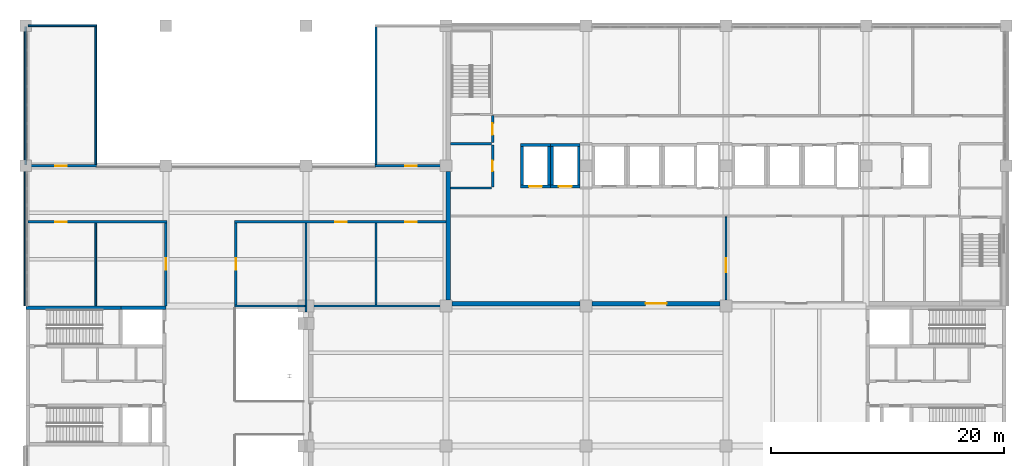
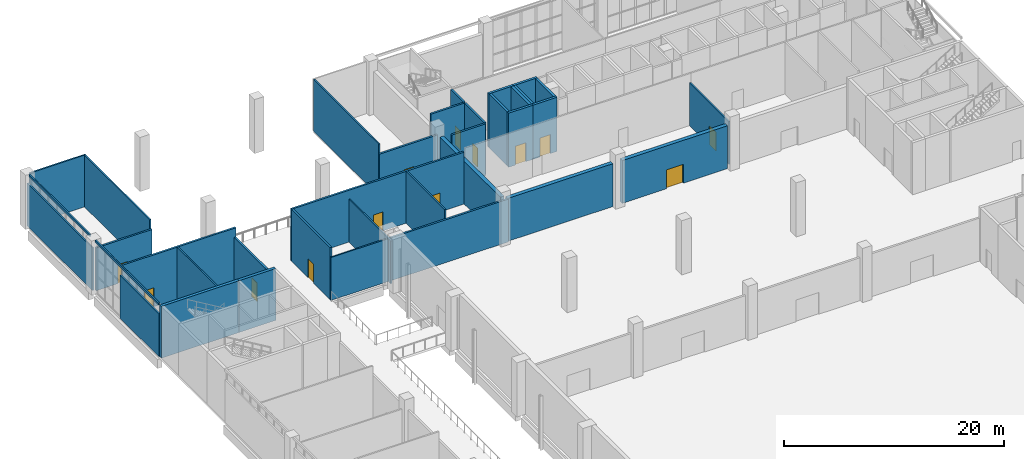
# One storey, part 64 of 72: 36 walls, 13 doors, 13 openings.
"""IFC4 building model written with IfcOpenShell, lengths in metres."""

from ifc_helpers import new_model, si_unit, direction, frame, frame_2d, origin, place, context, subcontext, project, spatial, rectangle, extrude, material, layer, layer_set, type_object, element, fill, save


model = new_model("IFC4")

# Units and contexts
model_context = context("Model", 3, precision=1e-05, world=origin(), true_north=direction((0.0, 1.0)))
body_context = subcontext(model_context, "Body", "Model", "MODEL_VIEW")
ifc_project = project(units=[si_unit("LENGTHUNIT", "METRE"), si_unit("AREAUNIT", "SQUARE_METRE"), si_unit("VOLUMEUNIT", "CUBIC_METRE"), si_unit("PLANEANGLEUNIT", "RADIAN"), si_unit("MASSUNIT", "GRAM", prefix="KILO")], contexts=[model_context])

# Site, building, storey
site_placement = place(None, origin())
site = spatial("IfcSite", under=ifc_project, at=site_placement, CompositionType="ELEMENT")
building_placement = place(site_placement, origin())
building = spatial("IfcBuilding", under=site, at=building_placement, Name="Lilac Gate Convention Centre", CompositionType="ELEMENT")
storey_placement = place(building_placement, frame((0.0, 0.0, 6.0)))
storey = spatial("IfcBuildingStorey", under=building, at=storey_placement, Name="L01", CompositionType="ELEMENT", Elevation=6.0)

# Wall, opening, door
ifc_material_1 = material(Name="Concrete C60", Category="concrete")
ifc_layer_1 = layer(ifc_material_1, 0.25)
ifc_layer_set_1 = layer_set([ifc_layer_1], Name="Concrete C60")
wall_type_1 = type_object("IfcWallType", Name="Core wall 250 C60", PredefinedType="SHEAR", material=ifc_layer_set_1)
wall_1_placement = place(storey_placement, frame((48.39990234375, 232.22509765625, 0.0), z_axis=(0.0, 0.0, 1.0), x_axis=(1.0, 0.0, 0.0)))
wall_1 = element("IfcWall", 1, at=wall_1_placement, inside=storey, type_object=wall_type_1, Name="CRW3 core wall TC L01 25", PredefinedType="SHEAR", context=body_context, shape_type="SweptSolid", body=[
    extrude(rectangle(XDim=2.550048828125, YDim=0.25, at=frame_2d((1.27490234375, 0.0))), origin(), (0.0, 0.0, 1.0), 6.0),
])
opening_1_placement = place(wall_1_placement, frame((0.72509765625, 0.0, 0.0)))
opening_1 = element("IfcOpeningElement", 2, at=opening_1_placement, cuts=wall_1, Name="Opening T01-026", PredefinedType="OPENING", context=body_context, shape_type="SweptSolid", body=[
    extrude(rectangle(XDim=1.10009765625, YDim=2.10009765625, at=frame_2d((0.550048828125, 1.050048828125))), frame((0.0, 0.135009765625, 0.0), z_axis=(0.0, -1.0, 0.0), x_axis=(1.0, 0.0, 0.0)), (0.0, 0.0, 1.0), 0.27001953125),
])
ifc_material_2 = material(Name="Stainless steel 304", Category="steel")
door_type_1 = type_object("IfcDoorType", Name="Lift landing door 1100", OperationType="SLIDING_TO_LEFT", PredefinedType="DOOR", material=ifc_material_2)
door_1_placement = place(opening_1_placement, origin())
door_1 = element("IfcDoor", 3, at=door_1_placement, inside=storey, type_object=door_type_1, Name="Lift landing door TS1 L01", OperationType="SLIDING_TO_LEFT", OverallHeight=2.10009765625, OverallWidth=1.10009765625, PredefinedType="DOOR", context=body_context, shape_type="SweptSolid", body=[
    extrude(rectangle(XDim=1.10009765625, YDim=2.10009765625, at=frame_2d((0.550048828125, 1.050048828125))), frame((0.0, 0.02490234375, 0.0), z_axis=(0.0, -1.0, 0.0), x_axis=(1.0, 0.0, 0.0)), (0.0, 0.0, 1.0), 0.050048828125),
])
fill(opening_1, door_1)

# Walls
wall_2_placement = place(storey_placement, frame((48.39990234375, 235.77490234375, 0.0), z_axis=(0.0, 0.0, 1.0), x_axis=(1.0, 0.0, 0.0)))
element("IfcWall", 4, at=wall_2_placement, inside=storey, type_object=wall_type_1, Name="CRW3 core wall TC L01 26", PredefinedType="SHEAR", context=body_context, shape_type="SweptSolid", body=[
    extrude(rectangle(XDim=2.550048828125, YDim=0.25, at=frame_2d((1.27490234375, 0.0))), origin(), (0.0, 0.0, 1.0), 6.0),
])
for number, where, z_axis, x_axis, name in (
    (5, (48.52490234375, 232.35009765625, 0.0), (0.0, 0.0, 1.0), (0.0, 1.0, 0.0), "CRW3 core wall TC L01 27"),
    (6, (50.824951171875, 232.35009765625, 0.0), (0.0, 0.0, 1.0), (0.0, 1.0, 0.0), "CRW3 core wall TC L01 28"),
):
    element("IfcWall", number, at=place(storey_placement, frame(where, z_axis=z_axis, x_axis=x_axis)), inside=storey, type_object=wall_type_1, Name=name, PredefinedType="SHEAR", context=body_context, shape_type="SweptSolid", body=[
        extrude(rectangle(XDim=3.2998046875, YDim=0.25, at=frame_2d((1.64990234375, 0.0))), origin(), (0.0, 0.0, 1.0), 6.0),
    ])

# Wall, opening, door
wall_3_placement = place(storey_placement, frame((50.949951171875, 232.22509765625, 0.0), z_axis=(0.0, 0.0, 1.0), x_axis=(1.0, 0.0, 0.0)))
wall_3 = element("IfcWall", 7, at=wall_3_placement, inside=storey, type_object=wall_type_1, Name="CRW3 core wall TC L01 29", PredefinedType="SHEAR", context=body_context, shape_type="SweptSolid", body=[
    extrude(rectangle(XDim=2.550048828125, YDim=0.25, at=frame_2d((1.27490234375, 0.0))), origin(), (0.0, 0.0, 1.0), 6.0),
])
opening_2_placement = place(wall_3_placement, frame((0.72509765625, 0.0, 0.0)))
opening_2 = element("IfcOpeningElement", 8, at=opening_2_placement, cuts=wall_3, Name="Opening T01-027", PredefinedType="OPENING", context=body_context, shape_type="SweptSolid", body=[
    extrude(rectangle(XDim=1.10009765625, YDim=2.10009765625, at=frame_2d((0.550048828125, 1.050048828125))), frame((0.0, 0.135009765625, 0.0), z_axis=(0.0, -1.0, 0.0), x_axis=(1.0, 0.0, 0.0)), (0.0, 0.0, 1.0), 0.27001953125),
])
door_2_placement = place(opening_2_placement, origin())
door_2 = element("IfcDoor", 9, at=door_2_placement, inside=storey, type_object=door_type_1, Name="Lift landing door TS2 L01", OperationType="SLIDING_TO_LEFT", OverallHeight=2.10009765625, OverallWidth=1.10009765625, PredefinedType="DOOR", context=body_context, shape_type="SweptSolid", body=[
    extrude(rectangle(XDim=1.10009765625, YDim=2.10009765625, at=frame_2d((0.550048828125, 1.050048828125))), frame((0.0, 0.02490234375, 0.0), z_axis=(0.0, -1.0, 0.0), x_axis=(1.0, 0.0, 0.0)), (0.0, 0.0, 1.0), 0.050048828125),
])
fill(opening_2, door_2)

# Walls
wall_4_placement = place(storey_placement, frame((50.949951171875, 235.77490234375, 0.0), z_axis=(0.0, 0.0, 1.0), x_axis=(1.0, 0.0, 0.0)))
element("IfcWall", 10, at=wall_4_placement, inside=storey, type_object=wall_type_1, Name="CRW3 core wall TC L01 30", PredefinedType="SHEAR", context=body_context, shape_type="SweptSolid", body=[
    extrude(rectangle(XDim=2.550048828125, YDim=0.25, at=frame_2d((1.27490234375, 0.0))), origin(), (0.0, 0.0, 1.0), 6.0),
])
for number, where, z_axis, x_axis, name in (
    (11, (51.074951171875, 232.35009765625, 0.0), (0.0, 0.0, 1.0), (0.0, 1.0, 0.0), "CRW3 core wall TC L01 31"),
    (12, (53.375, 232.35009765625, 0.0), (0.0, 0.0, 1.0), (0.0, 1.0, 0.0), "CRW3 core wall TC L01 32"),
):
    element("IfcWall", number, at=place(storey_placement, frame(where, z_axis=z_axis, x_axis=x_axis)), inside=storey, type_object=wall_type_1, Name=name, PredefinedType="SHEAR", context=body_context, shape_type="SweptSolid", body=[
        extrude(rectangle(XDim=3.2998046875, YDim=0.25, at=frame_2d((1.64990234375, 0.0))), origin(), (0.0, 0.0, 1.0), 6.0),
    ])

# Wall, opening, door
ifc_material_3 = material(Name="Gypsum board on steel stud", Category="steel")
ifc_layer_2 = layer(ifc_material_3, 0.14990234375)
ifc_layer_set_2 = layer_set([ifc_layer_2], Name="Gypsum board on steel stud")
wall_type_2 = type_object("IfcWallType", Name="Corridor wall 150", PredefinedType="PARTITIONING", material=ifc_layer_set_2)
wall_5_placement = place(storey_placement, frame((66.0, 229.625, 0.0), z_axis=(0.0, 0.0, 1.0), x_axis=(0.0, -1.0, 0.0)))
wall_5 = element("IfcWall", 13, at=wall_5_placement, inside=storey, type_object=wall_type_2, Name="Corridor wall 150 part SKT", PredefinedType="PARTITIONING", context=body_context, shape_type="SweptSolid", body=[
    extrude(rectangle(XDim=7.125, YDim=0.14990234375, at=frame_2d((3.5625, 0.0))), origin(), (0.0, 0.0, 1.0), 4.75),
])
opening_3_placement = place(wall_5_placement, frame((3.52490234375, 0.0, 0.0)))
opening_3 = element("IfcOpeningElement", 14, at=opening_3_placement, cuts=wall_5, Name="Opening T01-011", PredefinedType="OPENING", context=body_context, shape_type="SweptSolid", body=[
    extrude(rectangle(XDim=1.199951171875, YDim=2.10009765625, at=frame_2d((0.60009765625, 1.050048828125))), frame((0.0, 0.0849609375, 0.0), z_axis=(0.0, -1.0, 0.0), x_axis=(1.0, 0.0, 0.0)), (0.0, 0.0, 1.0), 0.169921875),
])
ifc_material_4 = material(Name="Steel Q235B", Category="steel")
door_type_2 = type_object("IfcDoorType", Name="Kitchen door 1200", OperationType="SINGLE_SWING_LEFT", PredefinedType="DOOR", material=ifc_material_4)
door_3_placement = place(opening_3_placement, origin())
door_3 = element("IfcDoor", 15, at=door_3_placement, inside=storey, type_object=door_type_2, Name="Kitchen pass door", OperationType="SINGLE_SWING_RIGHT", OverallHeight=2.10009765625, OverallWidth=1.199951171875, PredefinedType="DOOR", context=body_context, shape_type="SweptSolid", body=[
    extrude(rectangle(XDim=1.199951171875, YDim=2.10009765625, at=frame_2d((0.60009765625, 1.050048828125))), frame((0.0, 0.02490234375, 0.0), z_axis=(0.0, -1.0, 0.0), x_axis=(1.0, 0.0, 0.0)), (0.0, 0.0, 1.0), 0.050048828125),
])
fill(opening_3, door_3)

# Wall
ifc_material_5 = material(Name="Concrete C30", Category="concrete")
ifc_layer_3 = layer(ifc_material_5, 0.39990234375)
ifc_layer_set_3 = layer_set([ifc_layer_3], Name="Concrete C30")
wall_type_3 = type_object("IfcWallType", Name="Hall fire wall 400", PredefinedType="SOLIDWALL", material=ifc_layer_set_3)
wall_6_placement = place(storey_placement, frame((42.5, 222.199951171875, 0.0), z_axis=(0.0, 0.0, 1.0), x_axis=(1.0, 0.0, 0.0)))
element("IfcWall", 16, at=wall_6_placement, inside=storey, type_object=wall_type_3, Name="Compartment wall S L01 1", PredefinedType="SOLIDWALL", context=body_context, shape_type="SweptSolid", body=[
    extrude(rectangle(XDim=11.0, YDim=0.39990234375, at=frame_2d((5.5, 0.0))), origin(), (0.0, 0.0, 1.0), 4.75),
])

# Wall, opening, door
wall_7_placement = place(storey_placement, frame((54.5, 222.199951171875, 0.0), z_axis=(0.0, 0.0, 1.0), x_axis=(1.0, 0.0, 0.0)))
wall_7 = element("IfcWall", 17, at=wall_7_placement, inside=storey, type_object=wall_type_3, Name="Compartment wall S L01 2", PredefinedType="SOLIDWALL", context=body_context, shape_type="SweptSolid", body=[
    extrude(rectangle(XDim=11.0, YDim=0.39990234375, at=frame_2d((5.5, 0.0))), origin(), (0.0, 0.0, 1.0), 4.75),
])
opening_4_placement = place(wall_7_placement, frame((4.60009765625, 0.0, 0.0)))
opening_4 = element("IfcOpeningElement", 18, at=opening_4_placement, cuts=wall_7, Name="Opening L01-118", PredefinedType="OPENING", context=body_context, shape_type="SweptSolid", body=[
    extrude(rectangle(XDim=1.800048828125, YDim=2.10009765625, at=frame_2d((0.89990234375, 1.050048828125))), frame((0.0, 0.2099609375, 0.0), z_axis=(0.0, -1.0, 0.0), x_axis=(1.0, 0.0, 0.0)), (0.0, 0.0, 1.0), 0.419921875),
])
door_type_3 = type_object("IfcDoorType", Name="Door 1800 x 2100 double leaf FD90", OperationType="DOUBLE_DOOR_SINGLE_SWING", PredefinedType="DOOR", material=ifc_material_4)
door_4_placement = place(opening_4_placement, frame((1.800048828125, 0.0, 0.0), z_axis=(0.0, 0.0, 1.0), x_axis=(-1.0, 0.0, 0.0)))
door_4 = element("IfcDoor", 19, at=door_4_placement, inside=storey, type_object=door_type_3, Name="Fire door to hotel L01-118", OperationType="DOUBLE_DOOR_SINGLE_SWING", OverallHeight=2.10009765625, OverallWidth=1.800048828125, PredefinedType="DOOR", context=body_context, shape_type="SweptSolid", body=[
    extrude(rectangle(XDim=1.800048828125, YDim=2.10009765625, at=frame_2d((0.89990234375, 1.050048828125))), frame((0.0, 0.02490234375, 0.0), z_axis=(0.0, -1.0, 0.0), x_axis=(1.0, 0.0, 0.0)), (0.0, 0.0, 1.0), 0.050048828125),
])
fill(opening_4, door_4)

# Wall
wall_8_placement = place(storey_placement, frame((42.199951171875, 233.5, 0.0), z_axis=(0.0, 0.0, 1.0), x_axis=(0.0, -1.0, 0.0)))
element("IfcWall", 20, at=wall_8_placement, inside=storey, type_object=wall_type_3, Name="Compartment wall W L01 2", PredefinedType="SOLIDWALL", context=body_context, shape_type="SweptSolid", body=[
    extrude(rectangle(XDim=11.0, YDim=0.39990234375, at=frame_2d((5.5, 0.0))), origin(), (0.0, 0.0, 1.0), 4.75),
])

# Wall, opening, door
ifc_layer_4 = layer(ifc_material_3, 0.199951171875)
ifc_layer_set_4 = layer_set([ifc_layer_4], Name="Gypsum board on steel stud")
wall_type_4 = type_object("IfcWallType", Name="Lobby wall 200", PredefinedType="PARTITIONING", material=ifc_layer_set_4)
wall_9_placement = place(storey_placement, frame((46.0, 236.0, 0.0), z_axis=(0.0, 0.0, 1.0), x_axis=(0.0, 1.0, 0.0)))
wall_9 = element("IfcWall", 21, at=wall_9_placement, inside=storey, type_object=wall_type_4, Name="Lobby wall 200 STL-NW-E", PredefinedType="PARTITIONING", context=body_context, shape_type="SweptSolid", body=[
    extrude(rectangle(XDim=2.300048828125, YDim=0.199951171875, at=frame_2d((1.14990234375, 0.0))), origin(), (0.0, 0.0, 1.0), 5.75),
])
opening_5_placement = place(wall_9_placement, frame((0.64990234375, 0.0, 0.0)))
opening_5 = element("IfcOpeningElement", 22, at=opening_5_placement, cuts=wall_9, Name="Opening T01-006", PredefinedType="OPENING", context=body_context, shape_type="SweptSolid", body=[
    extrude(rectangle(XDim=1.0, YDim=2.10009765625, at=frame_2d((0.5, 1.050048828125))), frame((0.0, 0.10986328125, 0.0), z_axis=(0.0, -1.0, 0.0), x_axis=(1.0, 0.0, 0.0)), (0.0, 0.0, 1.0), 0.219970703125),
])
door_type_4 = type_object("IfcDoorType", Name="Lobby door 1000", OperationType="SINGLE_SWING_LEFT", PredefinedType="DOOR", material=ifc_material_4)
door_5_placement = place(opening_5_placement, origin())
door_5 = element("IfcDoor", 23, at=door_5_placement, inside=storey, type_object=door_type_4, Name="Stair lobby door NW", OperationType="SINGLE_SWING_LEFT", OverallHeight=2.10009765625, OverallWidth=1.0, PredefinedType="DOOR", context=body_context, shape_type="SweptSolid", body=[
    extrude(rectangle(XDim=1.0, YDim=2.10009765625, at=frame_2d((0.5, 1.050048828125))), frame((0.0, 0.02490234375, 0.0), z_axis=(0.0, -1.0, 0.0), x_axis=(1.0, 0.0, 0.0)), (0.0, 0.0, 1.0), 0.050048828125),
])
fill(opening_5, door_5)

# Walls
ifc_material_6 = material(Name="Fire-rated gypsum board on steel stud", Category="steel")
ifc_layer_5 = layer(ifc_material_6, 0.14990234375)
ifc_layer_set_5 = layer_set([ifc_layer_5], Name="Fire-rated gypsum board on steel stud")
wall_type_5 = type_object("IfcWallType", Name="Partition 150 fire-rated gypsum board EI 60", PredefinedType="PARTITIONING", material=ifc_layer_set_5)
wall_10_placement = place(storey_placement, frame((23.89990234375, 222.0, 0.0), z_axis=(0.0, 0.0, 1.0), x_axis=(1.0, 0.0, 0.0)))
element("IfcWall", 24, at=wall_10_placement, inside=storey, type_object=wall_type_5, Name="Partition 150 fire-rated gypsum board EI 60", PredefinedType="PARTITIONING", context=body_context, shape_type="SweptSolid", body=[
    extrude(rectangle(XDim=6.025146484375, YDim=0.14990234375, at=frame_2d((3.0126953125, 0.0))), origin(), (0.0, 0.0, 1.0), 4.75),
])
wall_11_placement = place(storey_placement, frame((6.199951171875, 246.0, 0.0), z_axis=(0.0, 0.0, 1.0), x_axis=(1.0, 0.0, 0.0)))
element("IfcWall", 25, at=wall_11_placement, inside=storey, type_object=wall_type_5, Name="Partition 150 fire-rated gypsum board EI 60", PredefinedType="PARTITIONING", context=body_context, shape_type="SweptSolid", body=[
    extrude(rectangle(XDim=5.875, YDim=0.14990234375, at=frame_2d((2.9375, 0.0))), origin(), (0.0, 0.0, 1.0), 5.75),
])
wall_12_placement = place(storey_placement, frame((6.0, 222.0, 0.0), z_axis=(0.0, 0.0, 1.0), x_axis=(0.0, 1.0, 0.0)))
element("IfcWall", 26, at=wall_12_placement, inside=storey, type_object=wall_type_5, Name="Partition 150 fire-rated gypsum board EI 60", PredefinedType="PARTITIONING", context=body_context, shape_type="SweptSolid", body=[
    extrude(rectangle(XDim=7.10009765625, YDim=0.14990234375, at=frame_2d((3.550048828125, 0.0))), origin(), (0.0, 0.0, 1.0), 4.75),
])
wall_13_placement = place(storey_placement, frame((6.0, 234.10009765625, 0.0), z_axis=(0.0, 0.0, 1.0), x_axis=(0.0, 1.0, 0.0)))
element("IfcWall", 27, at=wall_13_placement, inside=storey, type_object=wall_type_5, Name="Partition 150 fire-rated gypsum board EI 60", PredefinedType="PARTITIONING", context=body_context, shape_type="SweptSolid", body=[
    extrude(rectangle(XDim=11.824951171875, YDim=0.14990234375, at=frame_2d((5.91259765625, 0.0))), origin(), (0.0, 0.0, 1.0), 4.75),
])
wall_14_placement = place(storey_placement, frame((12.0, 222.0, 0.0), z_axis=(0.0, 0.0, 1.0), x_axis=(0.0, 1.0, 0.0)))
element("IfcWall", 28, at=wall_14_placement, inside=storey, type_object=wall_type_5, Name="Partition 150 fire-rated gypsum board EI 60", PredefinedType="PARTITIONING", context=body_context, shape_type="SweptSolid", body=[
    extrude(rectangle(XDim=7.10009765625, YDim=0.14990234375, at=frame_2d((3.550048828125, 0.0))), origin(), (0.0, 0.0, 1.0), 5.75),
])
wall_15_placement = place(storey_placement, frame((12.0, 234.10009765625, 0.0), z_axis=(0.0, 0.0, 1.0), x_axis=(0.0, 1.0, 0.0)))
element("IfcWall", 29, at=wall_15_placement, inside=storey, type_object=wall_type_5, Name="Partition 150 fire-rated gypsum board EI 60", PredefinedType="PARTITIONING", context=body_context, shape_type="SweptSolid", body=[
    extrude(rectangle(XDim=11.824951171875, YDim=0.14990234375, at=frame_2d((5.91259765625, 0.0))), origin(), (0.0, 0.0, 1.0), 5.75),
])
wall_16_placement = place(storey_placement, frame((30.0, 221.5, 0.0), z_axis=(0.0, 0.0, 1.0), x_axis=(0.0, 1.0, 0.0)))
element("IfcWall", 30, at=wall_16_placement, inside=storey, type_object=wall_type_5, Name="Partition 150 fire-rated gypsum board EI 60", PredefinedType="PARTITIONING", context=body_context, shape_type="SweptSolid", body=[
    extrude(rectangle(XDim=7.60009765625, YDim=0.14990234375, at=frame_2d((3.800048828125, 0.0))), origin(), (0.0, 0.0, 1.0), 4.75),
])
wall_17_placement = place(storey_placement, frame((36.0, 222.10009765625, 0.0), z_axis=(0.0, 0.0, 1.0), x_axis=(0.0, 1.0, 0.0)))
element("IfcWall", 31, at=wall_17_placement, inside=storey, type_object=wall_type_5, Name="Partition 150 fire-rated gypsum board EI 60", PredefinedType="PARTITIONING", context=body_context, shape_type="SweptSolid", body=[
    extrude(rectangle(XDim=7.0, YDim=0.14990234375, at=frame_2d((3.5, 0.0))), origin(), (0.0, 0.0, 1.0), 5.75),
])
wall_18_placement = place(storey_placement, frame((36.0, 234.10009765625, 0.0), z_axis=(0.0, 0.0, 1.0), x_axis=(0.0, 1.0, 0.0)))
element("IfcWall", 32, at=wall_18_placement, inside=storey, type_object=wall_type_5, Name="Partition 150 fire-rated gypsum board EI 60", PredefinedType="PARTITIONING", context=body_context, shape_type="SweptSolid", body=[
    extrude(rectangle(XDim=11.824951171875, YDim=0.14990234375, at=frame_2d((5.91259765625, 0.0))), origin(), (0.0, 0.0, 1.0), 5.75),
])
ifc_material_7 = material(Name="Clay brick masonry", Category="masonry")
ifc_layer_6 = layer(ifc_material_7, 0.199951171875)
ifc_layer_set_6 = layer_set([ifc_layer_6], Name="Clay brick masonry")
wall_type_6 = type_object("IfcWallType", Name="Partition 200 brick EI 60", PredefinedType="PARTITIONING", material=ifc_layer_set_6)
wall_19_placement = place(storey_placement, frame((30.074951171875, 222.0, 0.0), z_axis=(0.0, 0.0, 1.0), x_axis=(1.0, 0.0, 0.0)))
element("IfcWall", 33, at=wall_19_placement, inside=storey, type_object=wall_type_6, Name="Partition 200 brick EI 60", PredefinedType="PARTITIONING", context=body_context, shape_type="SweptSolid", body=[
    extrude(rectangle(XDim=12.425048828125, YDim=0.199951171875, at=frame_2d((6.21240234375, 0.0))), origin(), (0.0, 0.0, 1.0), 4.75),
])

# Wall, opening, door
wall_20_placement = place(storey_placement, frame((6.199951171875, 229.199951171875, 0.0), z_axis=(0.0, 0.0, 1.0), x_axis=(1.0, 0.0, 0.0)))
wall_20 = element("IfcWall", 34, at=wall_20_placement, inside=storey, type_object=wall_type_6, Name="Partition 200 brick EI 60", PredefinedType="PARTITIONING", context=body_context, shape_type="SweptSolid", body=[
    extrude(rectangle(XDim=11.900146484375, YDim=0.199951171875, at=frame_2d((5.9501953125, 0.0))), origin(), (0.0, 0.0, 1.0), 5.75),
])
opening_6_placement = place(wall_20_placement, frame((2.300048828125, 0.0, 0.0)))
opening_6 = element("IfcOpeningElement", 35, at=opening_6_placement, cuts=wall_20, Name="Opening L01-122", PredefinedType="OPENING", context=body_context, shape_type="SweptSolid", body=[
    extrude(rectangle(XDim=1.0, YDim=2.10009765625, at=frame_2d((0.5, 1.050048828125))), frame((0.0, 0.10986328125, 0.0), z_axis=(0.0, -1.0, 0.0), x_axis=(1.0, 0.0, 0.0)), (0.0, 0.0, 1.0), 0.219970703125),
])
ifc_material_8 = material(Name="Timber fire door leaf", Category="wood")
door_type_5 = type_object("IfcDoorType", Name="Door 1000 x 2100 single leaf FD30", OperationType="SINGLE_SWING_LEFT", PredefinedType="DOOR", material=ifc_material_8)
door_6_placement = place(opening_6_placement, frame((1.0, 0.0, 0.0), z_axis=(0.0, 0.0, 1.0), x_axis=(-1.0, 0.0, 0.0)))
door_6 = element("IfcDoor", 36, at=door_6_placement, inside=storey, type_object=door_type_5, Name="Office door L01-122", OperationType="SINGLE_SWING_LEFT", OverallHeight=2.10009765625, OverallWidth=1.0, PredefinedType="DOOR", context=body_context, shape_type="SweptSolid", body=[
    extrude(rectangle(XDim=1.0, YDim=2.10009765625, at=frame_2d((0.5, 1.050048828125))), frame((0.0, 0.02490234375, 0.0), z_axis=(0.0, -1.0, 0.0), x_axis=(1.0, 0.0, 0.0)), (0.0, 0.0, 1.0), 0.050048828125),
])
fill(opening_6, door_6)

# Wall, openings, doors
wall_21_placement = place(storey_placement, frame((23.89990234375, 229.199951171875, 0.0), z_axis=(0.0, 0.0, 1.0), x_axis=(1.0, 0.0, 0.0)))
wall_21 = element("IfcWall", 37, at=wall_21_placement, inside=storey, type_object=wall_type_6, Name="Partition 200 brick EI 60", PredefinedType="PARTITIONING", context=body_context, shape_type="SweptSolid", body=[
    extrude(rectangle(XDim=18.10009765625, YDim=0.199951171875, at=frame_2d((9.050048828125, 0.0))), origin(), (0.0, 0.0, 1.0), 5.75),
])
opening_7_placement = place(wall_21_placement, frame((8.60009765625, 0.0, 0.0)))
opening_7 = element("IfcOpeningElement", 38, at=opening_7_placement, cuts=wall_21, Name="Opening L01-123", PredefinedType="OPENING", context=body_context, shape_type="SweptSolid", body=[
    extrude(rectangle(XDim=1.0, YDim=2.10009765625, at=frame_2d((0.5, 1.050048828125))), frame((0.0, 0.10986328125, 0.0), z_axis=(0.0, -1.0, 0.0), x_axis=(1.0, 0.0, 0.0)), (0.0, 0.0, 1.0), 0.219970703125),
])
opening_8_placement = place(wall_21_placement, frame((14.60009765625, 0.0, 0.0)))
opening_8 = element("IfcOpeningElement", 39, at=opening_8_placement, cuts=wall_21, Name="Opening L01-124", PredefinedType="OPENING", context=body_context, shape_type="SweptSolid", body=[
    extrude(rectangle(XDim=1.0, YDim=2.10009765625, at=frame_2d((0.5, 1.050048828125))), frame((0.0, 0.10986328125, 0.0), z_axis=(0.0, -1.0, 0.0), x_axis=(1.0, 0.0, 0.0)), (0.0, 0.0, 1.0), 0.219970703125),
])
door_7_placement = place(opening_7_placement, frame((1.0, 0.0, 0.0), z_axis=(0.0, 0.0, 1.0), x_axis=(-1.0, 0.0, 0.0)))
door_7 = element("IfcDoor", 40, at=door_7_placement, inside=storey, type_object=door_type_5, Name="Office door L01-123", OperationType="SINGLE_SWING_LEFT", OverallHeight=2.10009765625, OverallWidth=1.0, PredefinedType="DOOR", context=body_context, shape_type="SweptSolid", body=[
    extrude(rectangle(XDim=1.0, YDim=2.10009765625, at=frame_2d((0.5, 1.050048828125))), frame((0.0, 0.02490234375, 0.0), z_axis=(0.0, -1.0, 0.0), x_axis=(1.0, 0.0, 0.0)), (0.0, 0.0, 1.0), 0.050048828125),
])
fill(opening_7, door_7)
door_8_placement = place(opening_8_placement, frame((1.0, 0.0, 0.0), z_axis=(0.0, 0.0, 1.0), x_axis=(-1.0, 0.0, 0.0)))
door_8 = element("IfcDoor", 41, at=door_8_placement, inside=storey, type_object=door_type_5, Name="Office door L01-124", OperationType="SINGLE_SWING_LEFT", OverallHeight=2.10009765625, OverallWidth=1.0, PredefinedType="DOOR", context=body_context, shape_type="SweptSolid", body=[
    extrude(rectangle(XDim=1.0, YDim=2.10009765625, at=frame_2d((0.5, 1.050048828125))), frame((0.0, 0.02490234375, 0.0), z_axis=(0.0, -1.0, 0.0), x_axis=(1.0, 0.0, 0.0)), (0.0, 0.0, 1.0), 0.050048828125),
])
fill(opening_8, door_8)

# Wall, opening, door
wall_22_placement = place(storey_placement, frame((6.199951171875, 234.0, 0.0), z_axis=(0.0, 0.0, 1.0), x_axis=(1.0, 0.0, 0.0)))
wall_22 = element("IfcWall", 42, at=wall_22_placement, inside=storey, type_object=wall_type_6, Name="Partition 200 brick EI 60", PredefinedType="PARTITIONING", context=body_context, shape_type="SweptSolid", body=[
    extrude(rectangle(XDim=5.875, YDim=0.199951171875, at=frame_2d((2.9375, 0.0))), origin(), (0.0, 0.0, 1.0), 4.75),
])
opening_9_placement = place(wall_22_placement, frame((2.300048828125, 0.0, 0.0)))
opening_9 = element("IfcOpeningElement", 43, at=opening_9_placement, cuts=wall_22, Name="Opening L01-125", PredefinedType="OPENING", context=body_context, shape_type="SweptSolid", body=[
    extrude(rectangle(XDim=1.0, YDim=2.10009765625, at=frame_2d((0.5, 1.050048828125))), frame((0.0, 0.10986328125, 0.0), z_axis=(0.0, -1.0, 0.0), x_axis=(1.0, 0.0, 0.0)), (0.0, 0.0, 1.0), 0.219970703125),
])
door_9_placement = place(opening_9_placement, origin())
door_9 = element("IfcDoor", 44, at=door_9_placement, inside=storey, type_object=door_type_5, Name="Office door L01-125", OperationType="SINGLE_SWING_RIGHT", OverallHeight=2.10009765625, OverallWidth=1.0, PredefinedType="DOOR", context=body_context, shape_type="SweptSolid", body=[
    extrude(rectangle(XDim=1.0, YDim=2.10009765625, at=frame_2d((0.5, 1.050048828125))), frame((0.0, 0.02490234375, 0.0), z_axis=(0.0, -1.0, 0.0), x_axis=(1.0, 0.0, 0.0)), (0.0, 0.0, 1.0), 0.050048828125),
])
fill(opening_9, door_9)

wall_23_placement = place(storey_placement, frame((35.925048828125, 234.0, 0.0), z_axis=(0.0, 0.0, 1.0), x_axis=(1.0, 0.0, 0.0)))
wall_23 = element("IfcWall", 45, at=wall_23_placement, inside=storey, type_object=wall_type_6, Name="Partition 200 brick EI 60", PredefinedType="PARTITIONING", context=body_context, shape_type="SweptSolid", body=[
    extrude(rectangle(XDim=6.074951171875, YDim=0.199951171875, at=frame_2d((3.03759765625, 0.0))), origin(), (0.0, 0.0, 1.0), 4.75),
])
opening_10_placement = place(wall_23_placement, frame((2.574951171875, 0.0, 0.0)))
opening_10 = element("IfcOpeningElement", 46, at=opening_10_placement, cuts=wall_23, Name="Opening L01-126", PredefinedType="OPENING", context=body_context, shape_type="SweptSolid", body=[
    extrude(rectangle(XDim=1.0, YDim=2.10009765625, at=frame_2d((0.5, 1.050048828125))), frame((0.0, 0.10986328125, 0.0), z_axis=(0.0, -1.0, 0.0), x_axis=(1.0, 0.0, 0.0)), (0.0, 0.0, 1.0), 0.219970703125),
])
door_10_placement = place(opening_10_placement, origin())
door_10 = element("IfcDoor", 47, at=door_10_placement, inside=storey, type_object=door_type_5, Name="Office door L01-126", OperationType="SINGLE_SWING_RIGHT", OverallHeight=2.10009765625, OverallWidth=1.0, PredefinedType="DOOR", context=body_context, shape_type="SweptSolid", body=[
    extrude(rectangle(XDim=1.0, YDim=2.10009765625, at=frame_2d((0.5, 1.050048828125))), frame((0.0, 0.02490234375, 0.0), z_axis=(0.0, -1.0, 0.0), x_axis=(1.0, 0.0, 0.0)), (0.0, 0.0, 1.0), 0.050048828125),
])
fill(opening_10, door_10)

wall_24_placement = place(storey_placement, frame((18.0, 222.0, 0.0), z_axis=(0.0, 0.0, 1.0), x_axis=(0.0, 1.0, 0.0)))
wall_24 = element("IfcWall", 48, at=wall_24_placement, inside=storey, type_object=wall_type_6, Name="Partition 200 brick EI 60", PredefinedType="PARTITIONING", context=body_context, shape_type="SweptSolid", body=[
    extrude(rectangle(XDim=7.10009765625, YDim=0.199951171875, at=frame_2d((3.550048828125, 0.0))), origin(), (0.0, 0.0, 1.0), 4.75),
])
opening_11_placement = place(wall_24_placement, frame((3.10009765625, 0.0, 0.0)))
opening_11 = element("IfcOpeningElement", 49, at=opening_11_placement, cuts=wall_24, Name="Opening L01-120", PredefinedType="OPENING", context=body_context, shape_type="SweptSolid", body=[
    extrude(rectangle(XDim=1.0, YDim=2.10009765625, at=frame_2d((0.5, 1.050048828125))), frame((0.0, 0.10986328125, 0.0), z_axis=(0.0, -1.0, 0.0), x_axis=(1.0, 0.0, 0.0)), (0.0, 0.0, 1.0), 0.219970703125),
])
door_11_placement = place(opening_11_placement, origin())
door_11 = element("IfcDoor", 50, at=door_11_placement, inside=storey, type_object=door_type_5, Name="Office door L01-120", OperationType="SINGLE_SWING_RIGHT", OverallHeight=2.10009765625, OverallWidth=1.0, PredefinedType="DOOR", context=body_context, shape_type="SweptSolid", body=[
    extrude(rectangle(XDim=1.0, YDim=2.10009765625, at=frame_2d((0.5, 1.050048828125))), frame((0.0, 0.02490234375, 0.0), z_axis=(0.0, -1.0, 0.0), x_axis=(1.0, 0.0, 0.0)), (0.0, 0.0, 1.0), 0.050048828125),
])
fill(opening_11, door_11)

wall_25_placement = place(storey_placement, frame((24.0, 222.074951171875, 0.0), z_axis=(0.0, 0.0, 1.0), x_axis=(0.0, 1.0, 0.0)))
wall_25 = element("IfcWall", 51, at=wall_25_placement, inside=storey, type_object=wall_type_6, Name="Partition 200 brick EI 60", PredefinedType="PARTITIONING", context=body_context, shape_type="SweptSolid", body=[
    extrude(rectangle(XDim=7.025146484375, YDim=0.199951171875, at=frame_2d((3.5126953125, 0.0))), origin(), (0.0, 0.0, 1.0), 5.75),
])
opening_12_placement = place(wall_25_placement, frame((3.02490234375, 0.0, 0.0)))
opening_12 = element("IfcOpeningElement", 52, at=opening_12_placement, cuts=wall_25, Name="Opening L01-121", PredefinedType="OPENING", context=body_context, shape_type="SweptSolid", body=[
    extrude(rectangle(XDim=1.0, YDim=2.10009765625, at=frame_2d((0.5, 1.050048828125))), frame((0.0, 0.10986328125, 0.0), z_axis=(0.0, -1.0, 0.0), x_axis=(1.0, 0.0, 0.0)), (0.0, 0.0, 1.0), 0.219970703125),
])
door_12_placement = place(opening_12_placement, frame((1.0, 0.0, 0.0), z_axis=(0.0, 0.0, 1.0), x_axis=(-1.0, 0.0, 0.0)))
door_12 = element("IfcDoor", 53, at=door_12_placement, inside=storey, type_object=door_type_5, Name="Office door L01-121", OperationType="SINGLE_SWING_LEFT", OverallHeight=2.10009765625, OverallWidth=1.0, PredefinedType="DOOR", context=body_context, shape_type="SweptSolid", body=[
    extrude(rectangle(XDim=1.0, YDim=2.10009765625, at=frame_2d((0.5, 1.050048828125))), frame((0.0, 0.02490234375, 0.0), z_axis=(0.0, -1.0, 0.0), x_axis=(1.0, 0.0, 0.0)), (0.0, 0.0, 1.0), 0.050048828125),
])
fill(opening_12, door_12)

# Walls
ifc_material_9 = material(Name="Concrete C40 precast", Category="concrete")
ifc_layer_7 = layer(ifc_material_9, 0.1298828125)
ifc_material_10 = material(Name="Ochre mineral render")
ifc_layer_8 = layer(ifc_material_10, 0.02001953125)
ifc_layer_set_7 = layer_set([ifc_layer_7, ifc_layer_8], Name="Concrete C40 precast, Ochre mineral render")
wall_type_7 = type_object("IfcWallType", Name="Precast band ochre 150", PredefinedType="STANDARD", material=ifc_layer_set_7)
wall_26_placement = place(storey_placement, frame((5.925048828125, 245.5, 5.75), z_axis=(0.0, 0.0, 1.0), x_axis=(0.0, -1.0, 0.0)))
element("IfcWall", 54, at=wall_26_placement, inside=storey, type_object=wall_type_7, Name="Precast band GW L01 1", PredefinedType="STANDARD", context=body_context, shape_type="SweptSolid", body=[
    extrude(rectangle(XDim=11.0, YDim=0.14990234375, at=frame_2d((5.5, 0.0))), origin(), (0.0, 0.0, 1.0), 0.25),
])
wall_27_placement = place(storey_placement, frame((5.925048828125, 233.5, 5.75), z_axis=(0.0, 0.0, 1.0), x_axis=(0.0, -1.0, 0.0)))
element("IfcWall", 55, at=wall_27_placement, inside=storey, type_object=wall_type_7, Name="Precast band GW L01 2", PredefinedType="STANDARD", context=body_context, shape_type="SweptSolid", body=[
    extrude(rectangle(XDim=11.5, YDim=0.14990234375, at=frame_2d((5.75, 0.0))), origin(), (0.0, 0.0, 1.0), 0.25),
])
ifc_layer_9 = layer(ifc_material_3, 0.199951171875)
ifc_layer_set_8 = layer_set([ifc_layer_9], Name="Gypsum board on steel stud")
wall_type_8 = type_object("IfcWallType", Name="Riser and store wall 200", PredefinedType="PARTITIONING", material=ifc_layer_set_8)
for number, where, z_axis, x_axis, name in (
    (56, (42.39990234375, 232.10009765625, 0.0), (0.0, 0.0, 1.0), (1.0, 0.0, 0.0), "Riser and store wall 200 HKW-S"),
    (57, (42.39990234375, 235.89990234375, 0.0), (0.0, 0.0, 1.0), (1.0, 0.0, 0.0), "Riser and store wall 200 HKW-N"),
):
    element("IfcWall", number, at=place(storey_placement, frame(where, z_axis=z_axis, x_axis=x_axis)), inside=storey, type_object=wall_type_8, Name=name, PredefinedType="PARTITIONING", context=body_context, shape_type="SweptSolid", body=[
        extrude(rectangle(XDim=3.5, YDim=0.199951171875, at=frame_2d((1.75, 0.0))), origin(), (0.0, 0.0, 1.0), 5.75),
    ])

# Wall, opening, door
wall_28_placement = place(storey_placement, frame((46.0, 232.199951171875, 0.0), z_axis=(0.0, 0.0, 1.0), x_axis=(0.0, 1.0, 0.0)))
wall_28 = element("IfcWall", 58, at=wall_28_placement, inside=storey, type_object=wall_type_8, Name="Riser and store wall 200 HKW-E", PredefinedType="PARTITIONING", context=body_context, shape_type="SweptSolid", body=[
    extrude(rectangle(XDim=3.60009765625, YDim=0.199951171875, at=frame_2d((1.800048828125, 0.0))), origin(), (0.0, 0.0, 1.0), 5.75),
])
opening_13_placement = place(wall_28_placement, frame((1.35009765625, 0.0, 0.0)))
opening_13 = element("IfcOpeningElement", 59, at=opening_13_placement, cuts=wall_28, Name="Opening T01-001", PredefinedType="OPENING", context=body_context, shape_type="SweptSolid", body=[
    extrude(rectangle(XDim=0.89990234375, YDim=2.10009765625, at=frame_2d((0.449951171875, 1.050048828125))), frame((0.0, 0.10986328125, 0.0), z_axis=(0.0, -1.0, 0.0), x_axis=(1.0, 0.0, 0.0)), (0.0, 0.0, 1.0), 0.219970703125),
])
door_type_6 = type_object("IfcDoorType", Name="Riser and store door 900", OperationType="SINGLE_SWING_LEFT", PredefinedType="DOOR", material=ifc_material_4)
door_13_placement = place(opening_13_placement, origin())
door_13 = element("IfcDoor", 60, at=door_13_placement, inside=storey, type_object=door_type_6, Name="Housekeeping door", OperationType="SINGLE_SWING_LEFT", OverallHeight=2.10009765625, OverallWidth=0.89990234375, PredefinedType="DOOR", context=body_context, shape_type="SweptSolid", body=[
    extrude(rectangle(XDim=0.89990234375, YDim=2.10009765625, at=frame_2d((0.449951171875, 1.050048828125))), frame((0.0, 0.02490234375, 0.0), z_axis=(0.0, -1.0, 0.0), x_axis=(1.0, 0.0, 0.0)), (0.0, 0.0, 1.0), 0.050048828125),
])
fill(opening_13, door_13)

# Walls
ifc_material_11 = material(Name="Concrete C40", Category="concrete")
ifc_layer_10 = layer(ifc_material_11, 0.300048828125)
ifc_layer_set_9 = layer_set([ifc_layer_10], Name="Concrete C40")
wall_type_9 = type_object("IfcWallType", Name="Shear wall 300 C40", PredefinedType="SHEAR", material=ifc_layer_set_9)
wall_29_placement = place(storey_placement, frame((6.0, 221.85009765625, 0.0), z_axis=(0.0, 0.0, 1.0), x_axis=(1.0, 0.0, 0.0)))
element("IfcWall", 61, at=wall_29_placement, inside=storey, type_object=wall_type_9, Name="SW1 shear wall W4 L01 4", PredefinedType="SHEAR", context=body_context, shape_type="SweptSolid", body=[
    extrude(rectangle(XDim=8.14990234375, YDim=0.300048828125, at=frame_2d((4.074951171875, 0.0))), origin(), (0.0, 0.0, 1.0), 5.75),
])
wall_30_placement = place(storey_placement, frame((14.14990234375, 221.85009765625, 0.0), z_axis=(0.0, 0.0, 1.0), x_axis=(1.0, 0.0, 0.0)))
element("IfcWall", 62, at=wall_30_placement, inside=storey, type_object=wall_type_9, Name="SW1 shear wall W4 L01 5", PredefinedType="SHEAR", context=body_context, shape_type="SweptSolid", body=[
    extrude(rectangle(XDim=3.85009765625, YDim=0.300048828125, at=frame_2d((1.925048828125, 0.0))), origin(), (0.0, 0.0, 1.0), 5.75),
])

save(model, "model.ifc")
